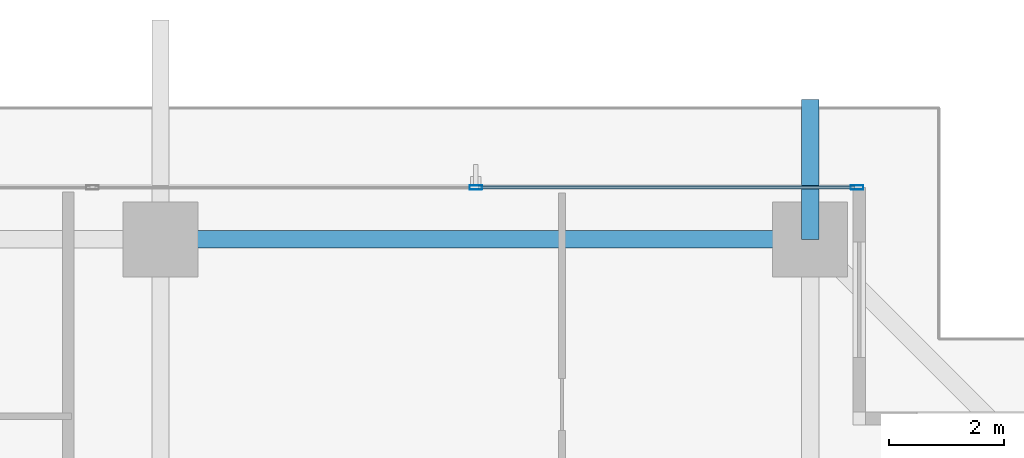
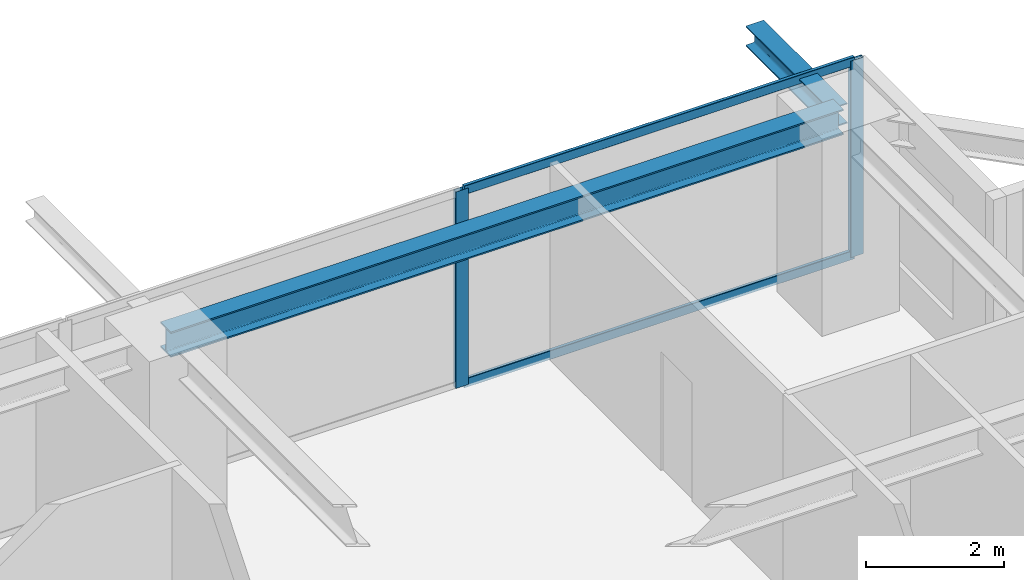
# One storey, part 23 of 35: 4 members, 2 beams, 1 element without a shape of its own.
"""IFC4 building model written with IfcOpenShell, lengths in metres."""

import ifcopenshell
import ifcopenshell.guid

model = None  # the IFC model being written
_history = None  # IfcOwnerHistory: only IFC2X3 demands one
_inside = {}  # id of a spatial element -> (the spatial element, [elements in it])
_under = {}  # id of a project, library or spatial element -> (it, [spatial elements below it])
_declared = {}  # id of a project -> (the project, [libraries it declares])
_typed = {}  # id of a type object -> (the type object, [elements of that type])
_made_of = {}  # id of a material, layer set ... -> (it, [elements and type objects made of it])


def new_model(schema):
    """Start an empty IFC model of exactly this schema.

    Asked for "IFC4X3", IfcOpenShell would pick the latest addendum, in which some entities
    have other attributes; the version numbers below select the first issue.
    IFC2X3 requires an IfcOwnerHistory on every rooted entity: one is made here for all.
    """
    global model, _history
    if schema == "IFC4X3":
        model = ifcopenshell.file(schema_version=(4, 3, 0, 0))
    else:
        model = ifcopenshell.file(schema=schema)
    _inside.clear()
    _under.clear()
    _declared.clear()
    _typed.clear()
    _made_of.clear()
    _history = None
    if model.schema == "IFC2X3":
        org = make("IfcOrganization", Name="unknown")
        user = make(
            "IfcPersonAndOrganization",
            ThePerson=make("IfcPerson", FamilyName="unknown"),
            TheOrganization=org,
        )
        app = make(
            "IfcApplication",
            ApplicationDeveloper=org,
            Version="unknown",
            ApplicationFullName="unknown",
            ApplicationIdentifier="unknown",
        )
        _history = make(
            "IfcOwnerHistory",
            OwningUser=user,
            OwningApplication=app,
            ChangeAction="ADDED",
            CreationDate=0,
        )
    return model


def make(cls, **values):
    """One entity of the class cls with the attributes given. An attribute that is None is left unset."""
    return model.create_entity(
        cls, **{name: value for name, value in values.items() if value is not None}
    )


def rooted(cls, **values):
    """An entity with a GlobalId (a new one), such as an element, a storey or a relation."""
    return make(cls, GlobalId=ifcopenshell.guid.new(), OwnerHistory=_history, **values)


def si_unit(unit_type, name, prefix=None):
    """IfcSIUnit, for example si_unit("LENGTHUNIT", "METRE", prefix="MILLI")."""
    return make("IfcSIUnit", UnitType=unit_type, Prefix=prefix, Name=name)


def assignment(units):
    """IfcUnitAssignment: the units of a project."""
    return None if units is None else make("IfcUnitAssignment", Units=units)


def point(xyz):
    """IfcCartesianPoint."""
    return None if xyz is None else make("IfcCartesianPoint", Coordinates=xyz)


def direction(xyz):
    """IfcDirection."""
    return None if xyz is None else make("IfcDirection", DirectionRatios=xyz)


def frame(location, z_axis=None, x_axis=None):
    """IfcAxis2Placement3D, a coordinate frame: its origin and axes. An axis left out is left unset."""
    return make(
        "IfcAxis2Placement3D",
        Location=point(location),
        Axis=direction(z_axis),
        RefDirection=direction(x_axis),
    )


def frame_2d(location, x_axis=None):
    """IfcAxis2Placement2D, a coordinate frame in the plane: its origin and x axis."""
    return make(
        "IfcAxis2Placement2D", Location=point(location), RefDirection=direction(x_axis)
    )


def origin():
    """The frame at (0, 0, 0) with its axes left unset."""
    return frame((0.0, 0.0, 0.0))


def origin_2d():
    """The frame at (0, 0) in the plane with its x axis left unset."""
    return frame_2d((0.0, 0.0))


def place(relative_to, where):
    """IfcLocalPlacement: puts the frame where relative to a parent placement (None: the world)."""
    return make(
        "IfcLocalPlacement", PlacementRelTo=relative_to, RelativePlacement=where
    )


def context(
    kind, dimensions, precision=None, world=None, true_north=None, identifier=None
):
    """IfcGeometricRepresentationContext, for example the 3D "Model" context."""
    return make(
        "IfcGeometricRepresentationContext",
        ContextIdentifier=identifier,
        ContextType=kind,
        CoordinateSpaceDimension=dimensions,
        Precision=precision,
        WorldCoordinateSystem=world,
        TrueNorth=true_north,
    )


def subcontext(parent, identifier, kind, view, scale=None):
    """IfcGeometricRepresentationSubContext, for example "Body" below "Model"."""
    return make(
        "IfcGeometricRepresentationSubContext",
        ContextIdentifier=identifier,
        ContextType=kind,
        ParentContext=parent,
        TargetScale=scale,
        TargetView=view,
    )


def project(units=None, contexts=None):
    """IfcProject with its units and contexts."""
    return rooted(
        "IfcProject",
        Name="project",
        RepresentationContexts=contexts,
        UnitsInContext=assignment(units),
    )


def spatial(cls, under=None, at=None, **own):
    """A site, building, storey or space (cls), placed at a placement, below another one or the project."""
    s = rooted(cls, ObjectPlacement=at, **own)
    if under is not None:
        _under.setdefault(under.id(), (under, []))[1].append(s)
    return s


def profile(cls, at=None, kind="AREA", **sizes):
    """A parametric profile (cls). Its sizes go by their IFC names, for example OverallWidth=200.0."""
    return make(cls, ProfileType=kind, Position=at, **sizes)


def hollow_rectangle(**sizes):
    """IfcRectangleHollowProfileDef."""
    return profile("IfcRectangleHollowProfileDef", **sizes)


def i_section(**sizes):
    """IfcIShapeProfileDef."""
    return profile("IfcIShapeProfileDef", **sizes)


def extrude(swept, where, along, depth):
    """IfcExtrudedAreaSolid: the profile swept, set in the frame where, extruded along a direction by depth."""
    return make(
        "IfcExtrudedAreaSolid",
        SweptArea=swept,
        Position=where,
        ExtrudedDirection=direction(along),
        Depth=depth,
    )


def shape(context_of_items, identifier, shape_type, items):
    """IfcShapeRepresentation: the items that make up one representation, for example the "Body"."""
    return make(
        "IfcShapeRepresentation",
        ContextOfItems=context_of_items,
        RepresentationIdentifier=identifier,
        RepresentationType=shape_type,
        Items=items,
    )


def source(mapping_origin, context_of_items, identifier, shape_type, items):
    """IfcRepresentationMap: a shape defined once, which mapped items show again and again."""
    return make(
        "IfcRepresentationMap",
        MappingOrigin=mapping_origin,
        MappedRepresentation=shape(context_of_items, identifier, shape_type, items),
    )


def transform(
    local_origin,
    x_axis=None,
    y_axis=None,
    z_axis=None,
    scale=None,
    scale2=None,
    scale3=None,
    uniform=True,
):
    """IfcCartesianTransformationOperator3D, or its non-uniform kind. x_axis, y_axis, z_axis: its Axis1, 2, 3."""
    if uniform:
        return make(
            "IfcCartesianTransformationOperator3D",
            Axis1=direction(x_axis),
            Axis2=direction(y_axis),
            LocalOrigin=point(local_origin),
            Scale=scale,
            Axis3=direction(z_axis),
        )
    return make(
        "IfcCartesianTransformationOperator3DnonUniform",
        Axis1=direction(x_axis),
        Axis2=direction(y_axis),
        LocalOrigin=point(local_origin),
        Scale=scale,
        Axis3=direction(z_axis),
        Scale2=scale2,
        Scale3=scale3,
    )


def mapped(mapping_source, mapping_target):
    """IfcMappedItem: shows the shape of a source again, moved by a transform."""
    return make(
        "IfcMappedItem", MappingSource=mapping_source, MappingTarget=mapping_target
    )


def material(Name=None, Category=None):
    """IfcMaterial."""
    return make("IfcMaterial", Name=Name, Category=Category)


def layer(
    of_material, thickness, ventilated=None, Name=None, Category=None, Priority=None
):
    """IfcMaterialLayer: one layer of a wall or slab, of a material (None: an air gap)."""
    return make(
        "IfcMaterialLayer",
        Material=of_material,
        LayerThickness=thickness,
        IsVentilated=ventilated,
        Name=Name,
        Category=Category,
        Priority=Priority,
    )


def layer_set(layers, Name=None):
    """IfcMaterialLayerSet."""
    return make("IfcMaterialLayerSet", MaterialLayers=layers, LayerSetName=Name)


def material_profile(
    of_material, cross_section, Name=None, Category=None, Priority=None
):
    """IfcMaterialProfile: a cross section and its material."""
    return make(
        "IfcMaterialProfile",
        Name=Name,
        Material=of_material,
        Profile=cross_section,
        Priority=Priority,
        Category=Category,
    )


def profile_set(profiles, Name=None, composite=None):
    """IfcMaterialProfileSet."""
    return make(
        "IfcMaterialProfileSet",
        Name=Name,
        MaterialProfiles=profiles,
        CompositeProfile=composite,
    )


def made_of(thing, what):
    """Note that an element or type object is made of a material, layer set ...; save() writes the relation."""
    if what is not None:
        _made_of.setdefault(what.id(), (what, []))[1].append(thing)
    return thing


def type_object(cls, material=None, **own):
    """A type object (cls), such as IfcWallType, which elements share."""
    return made_of(rooted(cls, **own), material)


def element(
    cls,
    number,
    at=None,
    inside=None,
    cuts=None,
    type_object=None,
    material=None,
    context=None,
    identifier="Body",
    shape_type=None,
    held_by="IfcProductDefinitionShape",
    body=None,
    shapes=None,
    **own,
):
    """One element of the class cls, such as IfcWall. Its Tag is "e" and its number.

    at: its placement. inside: the storey or other place that contains it. cuts: it is an
    opening in that element (IfcRelVoidsElement). A single representation is given by context,
    identifier, shape_type and body (its items); several are given by shapes. held_by: the class
    of the entity that holds the representations. save() writes the other relations.
    """
    e = rooted(cls, Tag="e%d" % number, ObjectPlacement=at, **own)
    if body is not None:
        shapes = [shape(context, identifier, shape_type, body)]
    if shapes is not None:
        e.Representation = make(held_by, Representations=shapes)
    if inside is not None:
        _inside.setdefault(inside.id(), (inside, []))[1].append(e)
    if cuts is not None:
        rooted(
            "IfcRelVoidsElement", RelatingBuildingElement=cuts, RelatedOpeningElement=e
        )
    if type_object is not None:
        _typed.setdefault(type_object.id(), (type_object, []))[1].append(e)
    return made_of(e, material)


def aggregate(whole, parts):
    """IfcRelAggregates: a whole, such as a stair, and the parts it consists of."""
    return rooted("IfcRelAggregates", RelatingObject=whole, RelatedObjects=parts)


def save(model, path):
    """Write the relations noted so far, then the file.

    IfcRelAggregates (storeys below a building ...), IfcRelContainedInSpatialStructure (elements
    in a storey), IfcRelDefinesByType, IfcRelAssociatesMaterial and IfcRelDeclares: one each for
    every whole, place, type object, material and project.
    """
    for whole, parts in _under.values():
        aggregate(whole, parts)
    for where, things in _inside.values():
        rooted(
            "IfcRelContainedInSpatialStructure",
            RelatedElements=things,
            RelatingStructure=where,
        )
    for kind, things in _typed.values():
        rooted("IfcRelDefinesByType", RelatedObjects=things, RelatingType=kind)
    for what, things in _made_of.values():
        rooted("IfcRelAssociatesMaterial", RelatedObjects=things, RelatingMaterial=what)
    for by, libraries in _declared.values():
        rooted("IfcRelDeclares", RelatingContext=by, RelatedDefinitions=libraries)
    model.write(path)


model = new_model("IFC4")

# Units and contexts
model_context = context("Model", 3, precision=1e-05, world=origin(), true_north=direction((0.0, 1.0)))
body_context = subcontext(model_context, "Body", "Model", "MODEL_VIEW")
ifc_project = project(units=[si_unit("LENGTHUNIT", "METRE"), si_unit("AREAUNIT", "SQUARE_METRE"), si_unit("VOLUMEUNIT", "CUBIC_METRE"), si_unit("PLANEANGLEUNIT", "RADIAN"), si_unit("MASSUNIT", "GRAM", prefix="KILO")], contexts=[model_context])

# Site, building, storey
site_placement = place(None, origin())
site = spatial("IfcSite", under=ifc_project, at=site_placement, CompositionType="ELEMENT")
building_placement = place(site_placement, origin())
building = spatial("IfcBuilding", under=site, at=building_placement, Name="Serunith Strait Residences", CompositionType="ELEMENT")
storey_placement = place(building_placement, frame((0.0, 0.0, 191.39990234375)))
storey = spatial("IfcBuildingStorey", under=building, at=storey_placement, Name="L48", CompositionType="ELEMENT", Elevation=191.39990234375)

# Beams
ifc_material_1 = material(Name="Steel S355J2", Category="steel")
ifc_material_profile_1 = material_profile(ifc_material_1, i_section(OverallWidth=0.300048828125, OverallDepth=0.449951171875, WebThickness=0.013916015625, FlangeThickness=0.02587890625, FilletRadius=0.027099609375, at=origin_2d()), Name="HEB 450")
ifc_profile_set_1 = profile_set([ifc_material_profile_1], Name="Steel S355J2")
beam_type_1 = type_object("IfcBeamType", Name="BM-HEB450", PredefinedType="BEAM", material=ifc_profile_set_1)
shared_shape_1 = source(origin(), body_context, "Body", "SweptSolid", [
    extrude(i_section(OverallWidth=0.300048828125, OverallDepth=0.449951171875, WebThickness=0.013916015625, FlangeThickness=0.02587890625, FilletRadius=0.027099609375, at=origin_2d()), origin(), (0.0, 0.0, 1.0), 11.25),
])
beam_1_placement = place(storey_placement, frame((48.14990234375, 48.10009765625, 3.26220703125), z_axis=(-1.0, 0.0, 0.0), x_axis=(0.0, -1.0, 0.0)))
element("IfcBeam", 1, at=beam_1_placement, inside=storey, type_object=beam_type_1, Name="L48 Perimeter Ring Beam 09", PredefinedType="BEAM", context=body_context, shape_type="MappedRepresentation", body=[
    mapped(shared_shape_1, transform((0.0, 0.0, 0.0), scale=1.0)),
])
ifc_material_profile_2 = material_profile(ifc_material_1, i_section(OverallWidth=0.300048828125, OverallDepth=0.360107421875, WebThickness=0.012451171875, FlangeThickness=0.0224609375, FilletRadius=0.027099609375, at=origin_2d()), Name="HEB 360")
ifc_profile_set_2 = profile_set([ifc_material_profile_2], Name="Steel S355J2")
beam_type_2 = type_object("IfcBeamType", Name="BM-HEB360", PredefinedType="BEAM", material=ifc_profile_set_2)
shared_shape_2 = source(origin(), body_context, "Body", "SweptSolid", [
    extrude(i_section(OverallWidth=0.300048828125, OverallDepth=0.360107421875, WebThickness=0.012451171875, FlangeThickness=0.0224609375, FilletRadius=0.027099609375, at=origin_2d()), origin(), (0.0, 0.0, 1.0), 2.418701171875),
])
beam_2_placement = place(storey_placement, frame((48.14990234375, 48.10009765625, 3.277099609375), z_axis=(0.0, 1.0, 0.0), x_axis=(-1.0, 0.0, 0.0)))
element("IfcBeam", 2, at=beam_2_placement, inside=storey, type_object=beam_type_2, Name="L49 Cantilevered Balcony Rib TC-N4", PredefinedType="BEAM", context=body_context, shape_type="MappedRepresentation", body=[
    mapped(shared_shape_2, transform((0.0, 0.0, 0.0), scale=1.0)),
])

# Curtain wall, members
ifc_material_2 = material(Name="Pale-Silver PVDF Aluminium", Category="aluminium")
ifc_layer = layer(ifc_material_2, 0.199951171875, Name="Pale-Silver PVDF Aluminium")
ifc_layer_set = layer_set([ifc_layer], Name="Pale-Silver PVDF Aluminium")
curtain_wall_type = type_object("IfcCurtainWallType", Name="CW-SYS3", PredefinedType="NOTDEFINED", material=ifc_layer_set)
curtain_wall_placement = place(storey_placement, origin())
curtain_wall = element("IfcCurtainWall", 3, at=curtain_wall_placement, inside=storey, type_object=curtain_wall_type, Name="L48 N Unitised Fritted Curtain Wall", PredefinedType="NOTDEFINED")
ifc_material_profile_3 = material_profile(ifc_material_2, hollow_rectangle(XDim=0.074951171875, YDim=0.219970703125, WallThickness=0.00390625, InnerFilletRadius=0.006103515625, OuterFilletRadius=0.010009765625, at=origin_2d()), Name="ALU 220x75x4")
ifc_profile_set_3 = profile_set([ifc_material_profile_3], Name="Pale-Silver PVDF Aluminium")
member_type_1 = type_object("IfcMemberType", Name="CW-SYS3-MULL", PredefinedType="MULLION", material=ifc_profile_set_3)
shared_shape_3 = source(origin(), body_context, "Body", "SweptSolid", [
    extrude(hollow_rectangle(XDim=0.074951171875, YDim=0.219970703125, WallThickness=0.00390625, InnerFilletRadius=0.006103515625, OuterFilletRadius=0.010009765625, at=origin_2d()), origin(), (0.0, 0.0, 1.0), 3.47509765625),
])
member_1_placement = place(storey_placement, frame((48.96240234375, 49.0, 0.0), z_axis=(0.0, 0.0, 1.0), x_axis=(0.0, -1.0, 0.0)))
member_1 = element("IfcMember", 4, at=member_1_placement, type_object=member_type_1, Name="CW-3 mullion 1", PredefinedType="MULLION", context=body_context, shape_type="MappedRepresentation", body=[
    mapped(shared_shape_3, transform((0.0, 0.0, 0.0), scale=1.0)),
])
member_2_placement = place(storey_placement, frame((42.360107421875, 49.0, 0.0), z_axis=(0.0, 0.0, 1.0), x_axis=(0.0, -1.0, 0.0)))
member_2 = element("IfcMember", 5, at=member_2_placement, type_object=member_type_1, Name="CW-3 mullion 2", PredefinedType="MULLION", context=body_context, shape_type="MappedRepresentation", body=[
    mapped(shared_shape_3, transform((0.0, 0.0, 0.0), scale=1.0)),
])
ifc_material_profile_4 = material_profile(ifc_material_2, hollow_rectangle(XDim=0.06005859375, YDim=0.159912109375, WallThickness=0.00341796875, InnerFilletRadius=0.00537109375, OuterFilletRadius=0.0087890625, at=origin_2d()), Name="ALU 160x60x3.5")
ifc_profile_set_4 = profile_set([ifc_material_profile_4], Name="Pale-Silver PVDF Aluminium")
member_type_2 = type_object("IfcMemberType", Name="CW-SYS3-TRAN", PredefinedType="USERDEFINED", material=ifc_profile_set_4)
shared_shape_4 = source(origin(), body_context, "Body", "SweptSolid", [
    extrude(hollow_rectangle(XDim=0.06005859375, YDim=0.159912109375, WallThickness=0.00341796875, InnerFilletRadius=0.00537109375, OuterFilletRadius=0.0087890625, at=origin_2d()), origin(), (0.0, 0.0, 1.0), 6.527587890625),
])
member_3_placement = place(storey_placement, frame((48.925048828125, 49.0, 0.030029296875), z_axis=(-1.0, 0.0, 0.0), x_axis=(0.0, -1.0, 0.0)))
member_3 = element("IfcMember", 6, at=member_3_placement, type_object=member_type_2, Name="CW-3 transom 1.1", ObjectType="TRANSOM", PredefinedType="USERDEFINED", context=body_context, shape_type="MappedRepresentation", body=[
    mapped(shared_shape_4, transform((0.0, 0.0, 0.0), scale=1.0)),
])
member_4_placement = place(storey_placement, frame((48.925048828125, 49.0, 3.445068359375), z_axis=(-1.0, 0.0, 0.0), x_axis=(0.0, -1.0, 0.0)))
member_4 = element("IfcMember", 7, at=member_4_placement, type_object=member_type_2, Name="CW-3 transom 1.2", ObjectType="TRANSOM", PredefinedType="USERDEFINED", context=body_context, shape_type="MappedRepresentation", body=[
    mapped(shared_shape_4, transform((0.0, 0.0, 0.0), scale=1.0)),
])
aggregate(curtain_wall, [member_1, member_2, member_3, member_4])

save(model, "model.ifc")
